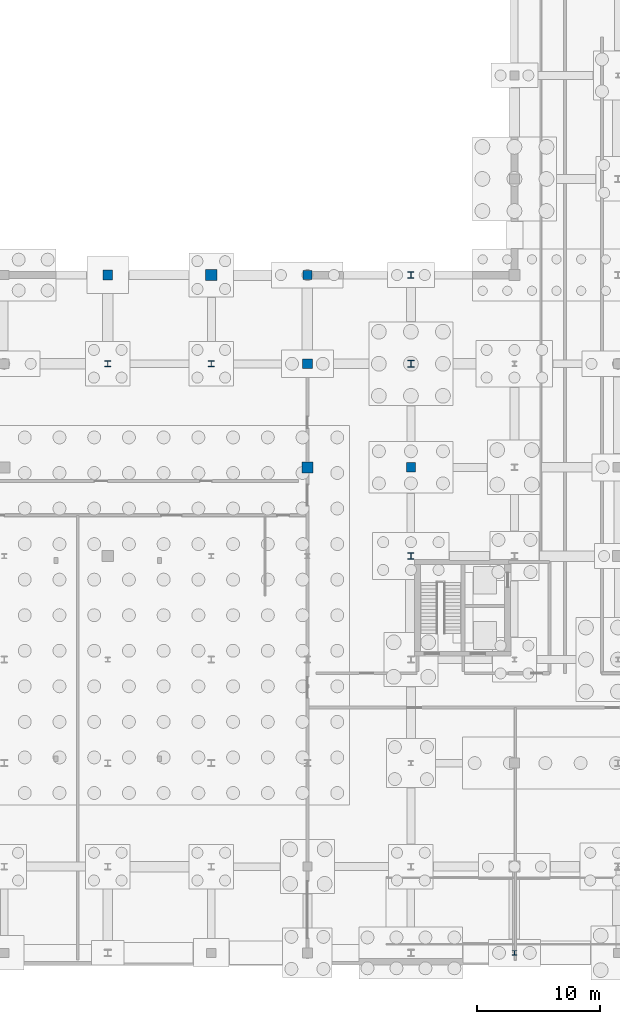
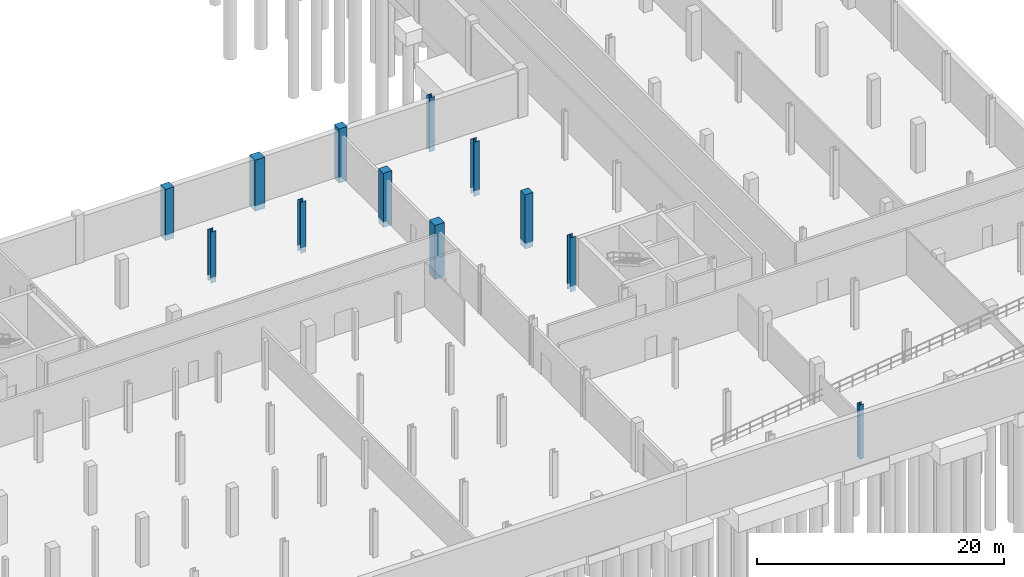
# One storey, part 17 of 32: 12 columns.
"""IFC4 building model written with IfcOpenShell, lengths in metres."""

import ifcopenshell
import ifcopenshell.guid

model = None  # the IFC model being written
_history = None  # IfcOwnerHistory: only IFC2X3 demands one
_inside = {}  # id of a spatial element -> (the spatial element, [elements in it])
_under = {}  # id of a project, library or spatial element -> (it, [spatial elements below it])
_declared = {}  # id of a project -> (the project, [libraries it declares])
_typed = {}  # id of a type object -> (the type object, [elements of that type])
_made_of = {}  # id of a material, layer set ... -> (it, [elements and type objects made of it])


def new_model(schema):
    """Start an empty IFC model of exactly this schema.

    Asked for "IFC4X3", IfcOpenShell would pick the latest addendum, in which some entities
    have other attributes; the version numbers below select the first issue.
    IFC2X3 requires an IfcOwnerHistory on every rooted entity: one is made here for all.
    """
    global model, _history
    if schema == "IFC4X3":
        model = ifcopenshell.file(schema_version=(4, 3, 0, 0))
    else:
        model = ifcopenshell.file(schema=schema)
    _inside.clear()
    _under.clear()
    _declared.clear()
    _typed.clear()
    _made_of.clear()
    _history = None
    if model.schema == "IFC2X3":
        org = make("IfcOrganization", Name="unknown")
        user = make(
            "IfcPersonAndOrganization",
            ThePerson=make("IfcPerson", FamilyName="unknown"),
            TheOrganization=org,
        )
        app = make(
            "IfcApplication",
            ApplicationDeveloper=org,
            Version="unknown",
            ApplicationFullName="unknown",
            ApplicationIdentifier="unknown",
        )
        _history = make(
            "IfcOwnerHistory",
            OwningUser=user,
            OwningApplication=app,
            ChangeAction="ADDED",
            CreationDate=0,
        )
    return model


def make(cls, **values):
    """One entity of the class cls with the attributes given. An attribute that is None is left unset."""
    return model.create_entity(
        cls, **{name: value for name, value in values.items() if value is not None}
    )


def rooted(cls, **values):
    """An entity with a GlobalId (a new one), such as an element, a storey or a relation."""
    return make(cls, GlobalId=ifcopenshell.guid.new(), OwnerHistory=_history, **values)


def si_unit(unit_type, name, prefix=None):
    """IfcSIUnit, for example si_unit("LENGTHUNIT", "METRE", prefix="MILLI")."""
    return make("IfcSIUnit", UnitType=unit_type, Prefix=prefix, Name=name)


def assignment(units):
    """IfcUnitAssignment: the units of a project."""
    return None if units is None else make("IfcUnitAssignment", Units=units)


def point(xyz):
    """IfcCartesianPoint."""
    return None if xyz is None else make("IfcCartesianPoint", Coordinates=xyz)


def direction(xyz):
    """IfcDirection."""
    return None if xyz is None else make("IfcDirection", DirectionRatios=xyz)


def frame(location, z_axis=None, x_axis=None):
    """IfcAxis2Placement3D, a coordinate frame: its origin and axes. An axis left out is left unset."""
    return make(
        "IfcAxis2Placement3D",
        Location=point(location),
        Axis=direction(z_axis),
        RefDirection=direction(x_axis),
    )


def frame_2d(location, x_axis=None):
    """IfcAxis2Placement2D, a coordinate frame in the plane: its origin and x axis."""
    return make(
        "IfcAxis2Placement2D", Location=point(location), RefDirection=direction(x_axis)
    )


def origin_with_axes():
    """The frame at (0, 0, 0) with the z axis (0, 0, 1) and the x axis (1, 0, 0) written out."""
    return frame((0.0, 0.0, 0.0), z_axis=(0.0, 0.0, 1.0), x_axis=(1.0, 0.0, 0.0))


def origin_2d_with_axis():
    """The frame at (0, 0) in the plane with the x axis (1, 0) written out."""
    return frame_2d((0.0, 0.0), x_axis=(1.0, 0.0))


def place(relative_to, where):
    """IfcLocalPlacement: puts the frame where relative to a parent placement (None: the world)."""
    return make(
        "IfcLocalPlacement", PlacementRelTo=relative_to, RelativePlacement=where
    )


def context(
    kind, dimensions, precision=None, world=None, true_north=None, identifier=None
):
    """IfcGeometricRepresentationContext, for example the 3D "Model" context."""
    return make(
        "IfcGeometricRepresentationContext",
        ContextIdentifier=identifier,
        ContextType=kind,
        CoordinateSpaceDimension=dimensions,
        Precision=precision,
        WorldCoordinateSystem=world,
        TrueNorth=true_north,
    )


def subcontext(parent, identifier, kind, view, scale=None):
    """IfcGeometricRepresentationSubContext, for example "Body" below "Model"."""
    return make(
        "IfcGeometricRepresentationSubContext",
        ContextIdentifier=identifier,
        ContextType=kind,
        ParentContext=parent,
        TargetScale=scale,
        TargetView=view,
    )


def project(units=None, contexts=None):
    """IfcProject with its units and contexts."""
    return rooted(
        "IfcProject",
        Name="project",
        RepresentationContexts=contexts,
        UnitsInContext=assignment(units),
    )


def spatial(cls, under=None, at=None, **own):
    """A site, building, storey or space (cls), placed at a placement, below another one or the project."""
    s = rooted(cls, ObjectPlacement=at, **own)
    if under is not None:
        _under.setdefault(under.id(), (under, []))[1].append(s)
    return s


def profile(cls, at=None, kind="AREA", **sizes):
    """A parametric profile (cls). Its sizes go by their IFC names, for example OverallWidth=200.0."""
    return make(cls, ProfileType=kind, Position=at, **sizes)


def rectangle(**sizes):
    """IfcRectangleProfileDef."""
    return profile("IfcRectangleProfileDef", **sizes)


def i_section(**sizes):
    """IfcIShapeProfileDef."""
    return profile("IfcIShapeProfileDef", **sizes)


def extrude(swept, where, along, depth):
    """IfcExtrudedAreaSolid: the profile swept, set in the frame where, extruded along a direction by depth."""
    return make(
        "IfcExtrudedAreaSolid",
        SweptArea=swept,
        Position=where,
        ExtrudedDirection=direction(along),
        Depth=depth,
    )


def shape(context_of_items, identifier, shape_type, items):
    """IfcShapeRepresentation: the items that make up one representation, for example the "Body"."""
    return make(
        "IfcShapeRepresentation",
        ContextOfItems=context_of_items,
        RepresentationIdentifier=identifier,
        RepresentationType=shape_type,
        Items=items,
    )


def material(Name=None, Category=None):
    """IfcMaterial."""
    return make("IfcMaterial", Name=Name, Category=Category)


def material_profile(
    of_material, cross_section, Name=None, Category=None, Priority=None
):
    """IfcMaterialProfile: a cross section and its material."""
    return make(
        "IfcMaterialProfile",
        Name=Name,
        Material=of_material,
        Profile=cross_section,
        Priority=Priority,
        Category=Category,
    )


def profile_set(profiles, Name=None, composite=None):
    """IfcMaterialProfileSet."""
    return make(
        "IfcMaterialProfileSet",
        Name=Name,
        MaterialProfiles=profiles,
        CompositeProfile=composite,
    )


def made_of(thing, what):
    """Note that an element or type object is made of a material, layer set ...; save() writes the relation."""
    if what is not None:
        _made_of.setdefault(what.id(), (what, []))[1].append(thing)
    return thing


def type_object(cls, material=None, **own):
    """A type object (cls), such as IfcWallType, which elements share."""
    return made_of(rooted(cls, **own), material)


def element(
    cls,
    number,
    at=None,
    inside=None,
    cuts=None,
    type_object=None,
    material=None,
    context=None,
    identifier="Body",
    shape_type=None,
    held_by="IfcProductDefinitionShape",
    body=None,
    shapes=None,
    **own,
):
    """One element of the class cls, such as IfcWall. Its Tag is "e" and its number.

    at: its placement. inside: the storey or other place that contains it. cuts: it is an
    opening in that element (IfcRelVoidsElement). A single representation is given by context,
    identifier, shape_type and body (its items); several are given by shapes. held_by: the class
    of the entity that holds the representations. save() writes the other relations.
    """
    e = rooted(cls, Tag="e%d" % number, ObjectPlacement=at, **own)
    if body is not None:
        shapes = [shape(context, identifier, shape_type, body)]
    if shapes is not None:
        e.Representation = make(held_by, Representations=shapes)
    if inside is not None:
        _inside.setdefault(inside.id(), (inside, []))[1].append(e)
    if cuts is not None:
        rooted(
            "IfcRelVoidsElement", RelatingBuildingElement=cuts, RelatedOpeningElement=e
        )
    if type_object is not None:
        _typed.setdefault(type_object.id(), (type_object, []))[1].append(e)
    return made_of(e, material)


def aggregate(whole, parts):
    """IfcRelAggregates: a whole, such as a stair, and the parts it consists of."""
    return rooted("IfcRelAggregates", RelatingObject=whole, RelatedObjects=parts)


def save(model, path):
    """Write the relations noted so far, then the file.

    IfcRelAggregates (storeys below a building ...), IfcRelContainedInSpatialStructure (elements
    in a storey), IfcRelDefinesByType, IfcRelAssociatesMaterial and IfcRelDeclares: one each for
    every whole, place, type object, material and project.
    """
    for whole, parts in _under.values():
        aggregate(whole, parts)
    for where, things in _inside.values():
        rooted(
            "IfcRelContainedInSpatialStructure",
            RelatedElements=things,
            RelatingStructure=where,
        )
    for kind, things in _typed.values():
        rooted("IfcRelDefinesByType", RelatedObjects=things, RelatingType=kind)
    for what, things in _made_of.values():
        rooted("IfcRelAssociatesMaterial", RelatedObjects=things, RelatingMaterial=what)
    for by, libraries in _declared.values():
        rooted("IfcRelDeclares", RelatingContext=by, RelatedDefinitions=libraries)
    model.write(path)


model = new_model("IFC4")

# Units and contexts
model_context = context("Model", 3, precision=1e-05, world=origin_with_axes(), true_north=direction((0.0, 1.0)))
body_context = subcontext(model_context, "Body", "Model", "MODEL_VIEW")
ifc_project = project(units=[si_unit("LENGTHUNIT", "METRE"), si_unit("AREAUNIT", "SQUARE_METRE"), si_unit("VOLUMEUNIT", "CUBIC_METRE"), si_unit("PLANEANGLEUNIT", "RADIAN"), si_unit("MASSUNIT", "GRAM", prefix="KILO"), si_unit("THERMODYNAMICTEMPERATUREUNIT", "KELVIN")], contexts=[model_context])

# Site, building, storey
site_placement = place(None, origin_with_axes())
site = spatial("IfcSite", under=ifc_project, at=site_placement, CompositionType="ELEMENT")
building_placement = place(site_placement, origin_with_axes())
building = spatial("IfcBuilding", under=site, at=building_placement, Name="Montbau Bow Law Courts", CompositionType="ELEMENT")
storey_placement = place(building_placement, frame((0.0, 0.0, -4.8), z_axis=(0.0, 0.0, 1.0), x_axis=(1.0, 0.0, 0.0)))
storey = spatial("IfcBuildingStorey", under=building, at=storey_placement, Name="B1", CompositionType="ELEMENT", Elevation=-4.8)

# Columns
ifc_material_1 = material(Name="Concrete CSA A23.1 f'c 45 MPa", Category="concrete")
ifc_material_profile_1 = material_profile(ifc_material_1, rectangle(XDim=0.9, YDim=0.9, at=origin_2d_with_axis()), Name="RC900X900", Category="Main", Priority=0)
ifc_profile_set_1 = profile_set([ifc_material_profile_1], Name="Concrete CSA A23.1 f'c 45 MPa")
column_type_1 = type_object("IfcColumnType", Name="C-RC-01", PredefinedType="COLUMN", material=ifc_profile_set_1)
column_1_placement = place(None, frame((114.0, 61.8, -5.35), z_axis=(0.0, 0.0, 1.0), x_axis=(1.0, 0.0, 0.0)))
element("IfcColumn", 1, at=column_1_placement, inside=storey, type_object=column_type_1, Name="C-B1-S093:col2_0093", PredefinedType="COLUMN", context=body_context, shape_type="SweptSolid", body=[
    extrude(rectangle(XDim=0.9, YDim=0.9, at=origin_2d_with_axis()), origin_with_axes(), (0.0, 0.0, 1.0), 5.06),
])
column_2_placement = place(None, frame((121.8, 46.2, -5.35), z_axis=(0.0, 0.0, 1.0), x_axis=(1.0, 0.0, 0.0)))
element("IfcColumn", 2, at=column_2_placement, inside=storey, type_object=column_type_1, Name="C-B1-S099:col2_0099", PredefinedType="COLUMN", context=body_context, shape_type="SweptSolid", body=[
    extrude(rectangle(XDim=0.9, YDim=0.9, at=origin_2d_with_axis()), origin_with_axes(), (0.0, 0.0, 1.0), 5.35),
])
ifc_material_profile_2 = material_profile(ifc_material_1, rectangle(XDim=0.8, YDim=0.8, at=origin_2d_with_axis()), Name="RC800X800", Category="Main", Priority=0)
ifc_profile_set_2 = profile_set([ifc_material_profile_2], Name="Concrete CSA A23.1 f'c 45 MPa")
column_type_2 = type_object("IfcColumnType", Name="C-RC-02", PredefinedType="COLUMN", material=ifc_profile_set_2)
column_3_placement = place(None, frame((105.6, 61.8, -5.35), z_axis=(0.0, 0.0, 1.0), x_axis=(1.0, 0.0, 0.0)))
element("IfcColumn", 3, at=column_3_placement, inside=storey, type_object=column_type_2, Name="C-B1-S088:col2_0088", PredefinedType="COLUMN", context=body_context, shape_type="SweptSolid", body=[
    extrude(rectangle(XDim=0.8, YDim=0.8, at=origin_2d_with_axis()), origin_with_axes(), (0.0, 0.0, 1.0), 5.06),
])
column_4_placement = place(None, frame((121.8, 54.6, -5.35), z_axis=(0.0, 0.0, 1.0), x_axis=(1.0, 0.0, 0.0)))
element("IfcColumn", 4, at=column_4_placement, inside=storey, type_object=column_type_2, Name="C-B1-S100:col2_0100", PredefinedType="COLUMN", context=body_context, shape_type="SweptSolid", body=[
    extrude(rectangle(XDim=0.8, YDim=0.8, at=origin_2d_with_axis()), origin_with_axes(), (0.0, 0.0, 1.0), 5.35),
])
ifc_material_2 = material(Name="Concrete CSA A23.1 f'c 40 MPa", Category="concrete")
ifc_material_profile_3 = material_profile(ifc_material_2, rectangle(XDim=0.75, YDim=0.75, at=origin_2d_with_axis()), Name="RC750X750", Category="Main", Priority=0)
ifc_profile_set_3 = profile_set([ifc_material_profile_3], Name="Concrete CSA A23.1 f'c 40 MPa")
column_type_3 = type_object("IfcColumnType", Name="C-RC-03", PredefinedType="COLUMN", material=ifc_profile_set_3)
for number, where, z_axis, x_axis, name in (
    (5, (121.8, 61.8, -5.35), (0.0, 0.0, 1.0), (1.0, 0.0, 0.0), "C-B1-S101:col2_0101"),
    (6, (130.2, 46.2, -5.35), (0.0, 0.0, 1.0), (1.0, 0.0, 0.0), "C-B1-S107:col2_0107"),
):
    element("IfcColumn", number, at=place(None, frame(where, z_axis=z_axis, x_axis=x_axis)), inside=storey, type_object=column_type_3, Name=name, PredefinedType="COLUMN", context=body_context, shape_type="SweptSolid", body=[
        extrude(rectangle(XDim=0.75, YDim=0.75, at=origin_2d_with_axis()), origin_with_axes(), (0.0, 0.0, 1.0), 5.35),
    ])
ifc_material_3 = material(Name="Steel CSA G40.21 Grade 350W (350 MPa)", Category="steel")
ifc_material_profile_4 = material_profile(ifc_material_3, i_section(OverallWidth=0.55, OverallDepth=0.55, WebThickness=0.025, FlangeThickness=0.042, at=origin_2d_with_axis()), Name="WWF550X420", Category="Main", Priority=0)
ifc_profile_set_4 = profile_set([ifc_material_profile_4], Name="Steel CSA G40.21 Grade 350W (350 MPa)")
column_type_4 = type_object("IfcColumnType", Name="C-STL-01", PredefinedType="COLUMN", material=ifc_profile_set_4)
column_5_placement = place(None, frame((130.2, 54.6, -5.35), z_axis=(0.0, 0.0, 1.0), x_axis=(1.0, 0.0, 0.0)))
element("IfcColumn", 7, at=column_5_placement, inside=storey, type_object=column_type_4, Name="C-B1-S108:col2_0108", PredefinedType="COLUMN", context=body_context, shape_type="SweptSolid", body=[
    extrude(i_section(OverallWidth=0.55, OverallDepth=0.55, WebThickness=0.025, FlangeThickness=0.042, at=origin_2d_with_axis()), origin_with_axes(), (0.0, 0.0, 1.0), 5.35),
])
ifc_material_profile_5 = material_profile(ifc_material_3, i_section(OverallWidth=0.5, OverallDepth=0.5, WebThickness=0.022, FlangeThickness=0.036, at=origin_2d_with_axis()), Name="WWF500X343", Category="Main", Priority=0)
ifc_profile_set_5 = profile_set([ifc_material_profile_5], Name="Steel CSA G40.21 Grade 350W (350 MPa)")
column_type_5 = type_object("IfcColumnType", Name="C-STL-02", PredefinedType="COLUMN", material=ifc_profile_set_5)
for number, where, z_axis, x_axis, name in (
    (8, (130.2, 39.0, -5.35), (0.0, 0.0, 1.0), (1.0, 0.0, 0.0), "C-B1-S106:col2_0106"),
    (9, (130.2, 61.8, -5.35), (0.0, 0.0, 1.0), (1.0, 0.0, 0.0), "C-B1-S109:col2_0109"),
):
    element("IfcColumn", number, at=place(None, frame(where, z_axis=z_axis, x_axis=x_axis)), inside=storey, type_object=column_type_5, Name=name, PredefinedType="COLUMN", context=body_context, shape_type="SweptSolid", body=[
        extrude(i_section(OverallWidth=0.5, OverallDepth=0.5, WebThickness=0.022, FlangeThickness=0.036, at=origin_2d_with_axis()), origin_with_axes(), (0.0, 0.0, 1.0), 5.35),
    ])
for number, where, z_axis, x_axis, name in (
    (10, (105.6, 54.6, -5.35), (0.0, 0.0, 1.0), (1.0, 0.0, 0.0), "C-PLZ-B1-15:col2_1118"),
    (11, (114.0, 54.6, -5.35), (0.0, 0.0, 1.0), (1.0, 0.0, 0.0), "C-PLZ-B1-16:col2_1119"),
):
    element("IfcColumn", number, at=place(None, frame(where, z_axis=z_axis, x_axis=x_axis)), inside=storey, type_object=column_type_5, Name=name, PredefinedType="COLUMN", context=body_context, shape_type="SweptSolid", body=[
        extrude(i_section(OverallWidth=0.5, OverallDepth=0.5, WebThickness=0.022, FlangeThickness=0.036, at=origin_2d_with_axis()), origin_with_axes(), (0.0, 0.0, 1.0), 5.06),
    ])
ifc_material_profile_6 = material_profile(ifc_material_3, i_section(OverallWidth=0.395, OverallDepth=0.38, WebThickness=0.0189, FlangeThickness=0.0302, at=origin_2d_with_axis()), Name="W360X237", Category="Main", Priority=0)
ifc_profile_set_6 = profile_set([ifc_material_profile_6], Name="Steel CSA G40.21 Grade 350W (350 MPa)")
column_type_6 = type_object("IfcColumnType", Name="C-STL-03", PredefinedType="COLUMN", material=ifc_profile_set_6)
column_6_placement = place(None, frame((138.6, 6.8, -5.35), z_axis=(0.0, 0.0, 1.0), x_axis=(1.0, 0.0, 0.0)))
element("IfcColumn", 12, at=column_6_placement, inside=storey, type_object=column_type_6, Name="C-B1-S110:col2_0110", PredefinedType="COLUMN", context=body_context, shape_type="SweptSolid", body=[
    extrude(i_section(OverallWidth=0.395, OverallDepth=0.38, WebThickness=0.0189, FlangeThickness=0.0302, at=origin_2d_with_axis()), origin_with_axes(), (0.0, 0.0, 1.0), 5.35),
])

save(model, "model.ifc")
